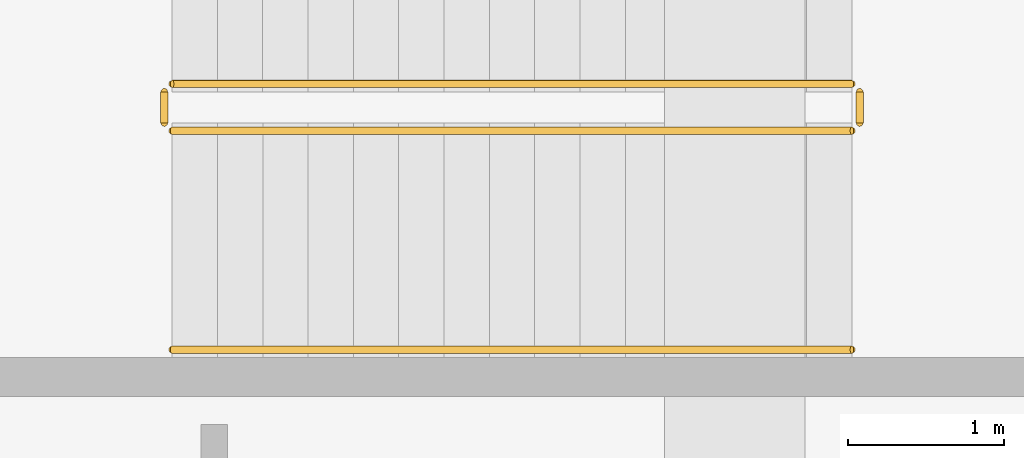
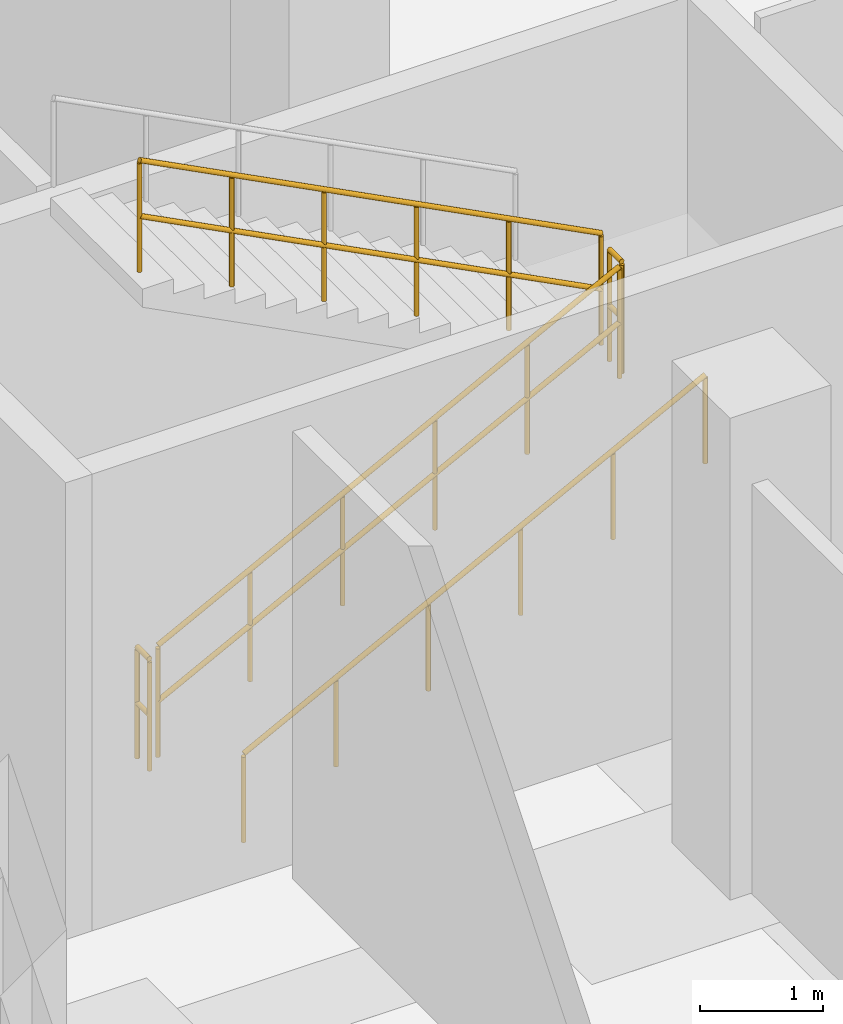
# One storey, part 46 of 48: 5 railings.
"""IFC4 building model written with IfcOpenShell, lengths in metres."""

from ifc_helpers import new_model, si_unit, direction, frame, origin, origin_2d, place, context, subcontext, project, spatial, circle, extrude, material, type_object, element, save


model = new_model("IFC4")

# Units and contexts
model_context = context("Model", 3, precision=1e-05, world=origin(), true_north=direction((0.0, 1.0)))
body_context = subcontext(model_context, "Body", "Model", "MODEL_VIEW")
ifc_project = project(units=[si_unit("LENGTHUNIT", "METRE"), si_unit("AREAUNIT", "SQUARE_METRE"), si_unit("VOLUMEUNIT", "CUBIC_METRE"), si_unit("PLANEANGLEUNIT", "RADIAN"), si_unit("MASSUNIT", "GRAM", prefix="KILO")], contexts=[model_context])

# Site, building, storey
site_placement = place(None, origin())
site = spatial("IfcSite", under=ifc_project, at=site_placement, CompositionType="ELEMENT")
building_placement = place(site_placement, origin())
building = spatial("IfcBuilding", under=site, at=building_placement, Name="Seraya Terrace Polytechnic", CompositionType="ELEMENT")
storey_placement = place(building_placement, origin())
storey = spatial("IfcBuildingStorey", under=building, at=storey_placement, Name="L00", CompositionType="ELEMENT", Elevation=0.0)

# Railings
ifc_material = material(Name="Steel S355J2", Category="steel")
railing_type_1 = type_object("IfcRailingType", Name="GR-02", PredefinedType="GUARDRAIL", material=ifc_material)
railing_1_placement = place(storey_placement, frame((147.60009765625, 61.050048828125, 0.14990234375)))
element("IfcRailing", 1, at=railing_1_placement, inside=storey, type_object=railing_type_1, Name="L00 ST-11 stair guard 1", PredefinedType="GUARDRAIL", context=body_context, shape_type="SweptSolid", body=[
    extrude(circle(Radius=0.02392578125, at=origin_2d()), frame((0.0, 0.0, 1.10595703125), z_axis=(0.888211329745, 0.0, 0.459435124596), x_axis=(0.0, 1.0, 0.0)), (0.0, 0.0, 1.0), 4.897216796875),
    extrude(circle(Radius=0.02392578125, at=origin_2d()), frame((0.0, 0.0, 0.550048828125), z_axis=(0.888211329745, 0.0, 0.459435124596), x_axis=(0.0, 1.0, 0.0)), (0.0, 0.0, 1.0), 4.897216796875),
    extrude(circle(Radius=0.02099609375, at=origin_2d()), origin(), (0.0, 0.0, 1.0), 1.081787109375),
    extrude(circle(Radius=0.02099609375, at=origin_2d()), frame((0.869873046875, 0.0, 0.449951171875)), (0.0, 0.0, 1.0), 1.081787109375),
    extrude(circle(Radius=0.02099609375, at=origin_2d()), frame((1.739990234375, 0.0, 0.89990234375)), (0.0, 0.0, 1.0), 1.081787109375),
    extrude(circle(Radius=0.02099609375, at=origin_2d()), frame((2.60986328125, 0.0, 1.35009765625)), (0.0, 0.0, 1.0), 1.081787109375),
    extrude(circle(Radius=0.02099609375, at=origin_2d()), frame((3.47998046875, 0.0, 1.800048828125)), (0.0, 0.0, 1.0), 1.081787109375),
    extrude(circle(Radius=0.02099609375, at=origin_2d()), frame((4.349853515625, 0.0, 2.25)), (0.0, 0.0, 1.0), 1.081787109375),
])
railing_2_placement = place(storey_placement, frame((152.0, 61.10009765625, 2.39990234375)))
element("IfcRailing", 2, at=railing_2_placement, inside=storey, type_object=railing_type_1, Name="L00 ST-11 stair guard 2", PredefinedType="GUARDRAIL", context=body_context, shape_type="SweptSolid", body=[
    extrude(circle(Radius=0.02392578125, at=origin_2d()), frame((0.0, 0.0, 1.10595703125), z_axis=(0.0, 1.0, 0.0), x_axis=(-1.0, 0.0, 0.0)), (0.0, 0.0, 1.0), 0.199951171875),
    extrude(circle(Radius=0.02392578125, at=origin_2d()), frame((0.0, 0.0, 0.550048828125), z_axis=(0.0, 1.0, 0.0), x_axis=(-1.0, 0.0, 0.0)), (0.0, 0.0, 1.0), 0.199951171875),
    extrude(circle(Radius=0.02099609375, at=origin_2d()), origin(), (0.0, 0.0, 1.0), 1.081787109375),
    extrude(circle(Radius=0.02099609375, at=origin_2d()), frame((0.0, 0.199951171875, 0.0)), (0.0, 0.0, 1.0), 1.081787109375),
])
railing_3_placement = place(storey_placement, frame((151.949951171875, 61.35009765625, 2.550048828125)))
element("IfcRailing", 3, at=railing_3_placement, inside=storey, type_object=railing_type_1, Name="L00 ST-11 stair guard 3", PredefinedType="GUARDRAIL", context=body_context, shape_type="SweptSolid", body=[
    extrude(circle(Radius=0.02392578125, at=origin_2d()), frame((0.0, 0.0, 1.10595703125), z_axis=(-0.888211329745, 0.0, 0.459435124596), x_axis=(0.0, -1.0, 0.0)), (0.0, 0.0, 1.0), 4.897216796875),
    extrude(circle(Radius=0.02392578125, at=origin_2d()), frame((0.0, 0.0, 0.550048828125), z_axis=(-0.888211329745, 0.0, 0.459435124596), x_axis=(0.0, -1.0, 0.0)), (0.0, 0.0, 1.0), 4.897216796875),
    extrude(circle(Radius=0.02099609375, at=origin_2d()), origin(), (0.0, 0.0, 1.0), 1.081787109375),
    extrude(circle(Radius=0.02099609375, at=origin_2d()), frame((-0.869873046875, 0.0, 0.449951171875)), (0.0, 0.0, 1.0), 1.081787109375),
    extrude(circle(Radius=0.02099609375, at=origin_2d()), frame((-1.739990234375, 0.0, 0.89990234375)), (0.0, 0.0, 1.0), 1.081787109375),
    extrude(circle(Radius=0.02099609375, at=origin_2d()), frame((-2.60986328125, 0.0, 1.35009765625)), (0.0, 0.0, 1.0), 1.081787109375),
    extrude(circle(Radius=0.02099609375, at=origin_2d()), frame((-3.47998046875, 0.0, 1.800048828125)), (0.0, 0.0, 1.0), 1.081787109375),
    extrude(circle(Radius=0.02099609375, at=origin_2d()), frame((-4.349853515625, 0.0, 2.25)), (0.0, 0.0, 1.0), 1.081787109375),
])
railing_4_placement = place(storey_placement, frame((147.550048828125, 61.10009765625, 0.0)))
element("IfcRailing", 4, at=railing_4_placement, inside=storey, type_object=railing_type_1, Name="L00 ST-11 stair guard 4", PredefinedType="GUARDRAIL", context=body_context, shape_type="SweptSolid", body=[
    extrude(circle(Radius=0.02392578125, at=origin_2d()), frame((0.0, 0.0, 1.10595703125), z_axis=(0.0, 1.0, 0.0), x_axis=(-1.0, 0.0, 0.0)), (0.0, 0.0, 1.0), 0.199951171875),
    extrude(circle(Radius=0.02392578125, at=origin_2d()), frame((0.0, 0.0, 0.550048828125), z_axis=(0.0, 1.0, 0.0), x_axis=(-1.0, 0.0, 0.0)), (0.0, 0.0, 1.0), 0.199951171875),
    extrude(circle(Radius=0.02099609375, at=origin_2d()), origin(), (0.0, 0.0, 1.0), 1.081787109375),
    extrude(circle(Radius=0.02099609375, at=origin_2d()), frame((0.0, 0.199951171875, 0.0)), (0.0, 0.0, 1.0), 1.081787109375),
])
railing_type_2 = type_object("IfcRailingType", Name="HR-01", PredefinedType="HANDRAIL", material=ifc_material)
railing_5_placement = place(storey_placement, frame((147.60009765625, 59.64990234375, 0.14990234375)))
element("IfcRailing", 5, at=railing_5_placement, inside=storey, type_object=railing_type_2, Name="L00 ST-11 stair handrail 1", PredefinedType="HANDRAIL", context=body_context, shape_type="SweptSolid", body=[
    extrude(circle(Radius=0.02392578125, at=origin_2d()), frame((0.0, 0.0, 0.8759765625), z_axis=(0.888211329745, 0.0, 0.459435124596), x_axis=(0.0, 1.0, 0.0)), (0.0, 0.0, 1.0), 4.897216796875),
    extrude(circle(Radius=0.02099609375, at=origin_2d()), origin(), (0.0, 0.0, 1.0), 0.851806640625),
    extrude(circle(Radius=0.02099609375, at=origin_2d()), frame((0.869873046875, 0.0, 0.449951171875)), (0.0, 0.0, 1.0), 0.851806640625),
    extrude(circle(Radius=0.02099609375, at=origin_2d()), frame((1.739990234375, 0.0, 0.89990234375)), (0.0, 0.0, 1.0), 0.851806640625),
    extrude(circle(Radius=0.02099609375, at=origin_2d()), frame((2.60986328125, 0.0, 1.35009765625)), (0.0, 0.0, 1.0), 0.851806640625),
    extrude(circle(Radius=0.02099609375, at=origin_2d()), frame((3.47998046875, 0.0, 1.800048828125)), (0.0, 0.0, 1.0), 0.851806640625),
    extrude(circle(Radius=0.02099609375, at=origin_2d()), frame((4.349853515625, 0.0, 2.25)), (0.0, 0.0, 1.0), 0.851806640625),
])

save(model, "model.ifc")
